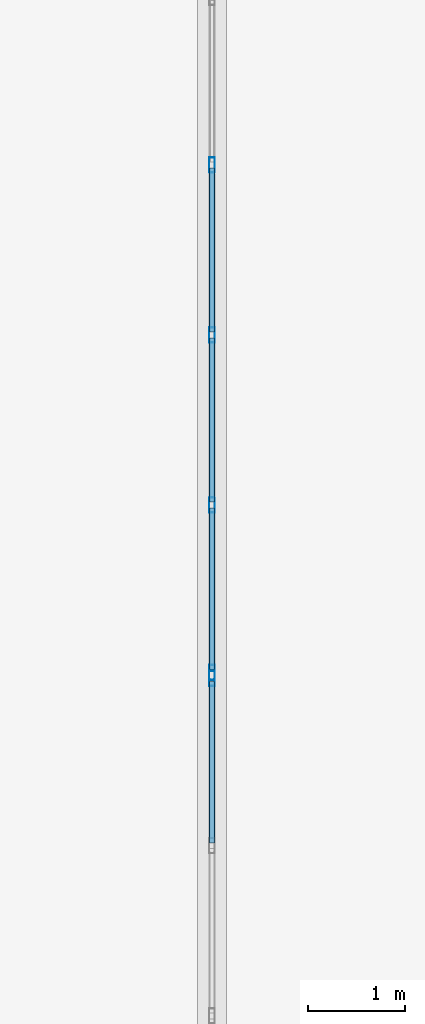
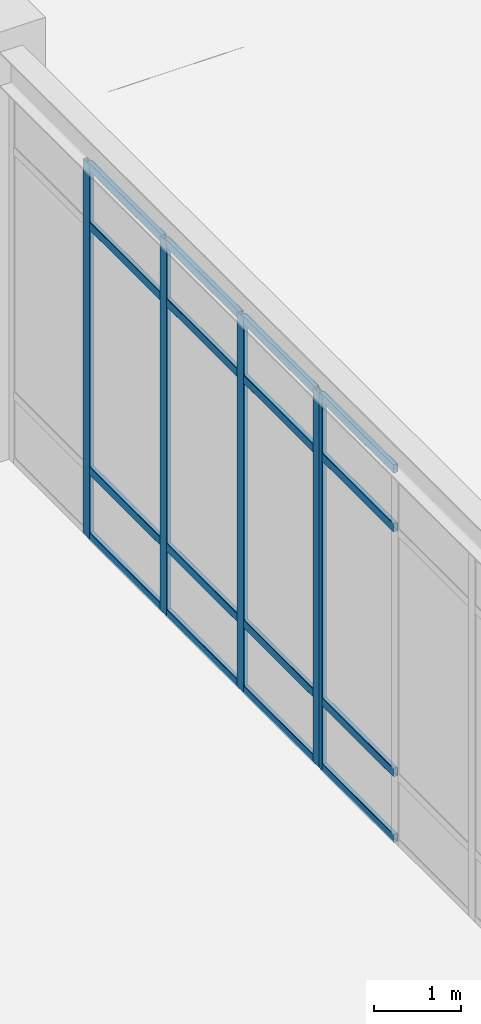
# One storey, part 40 of 82: 21 members, 2 elements without a shape of their own.
"""IFC4 building model written with IfcOpenShell, lengths in metres."""

from ifc_helpers import new_model, si_unit, derived_unit, direction, frame, origin, origin_2d, place, context, subcontext, project, spatial, hollow_rectangle, extrude, material, layer, layer_set, material_profile, profile_set, type_object, element, aggregate, save


model = new_model("IFC4")

# Units and contexts
model_context = context("Model", 3, precision=1e-05, world=origin(), true_north=direction((0.0, 1.0)))
body_context = subcontext(model_context, "Body", "Model", "MODEL_VIEW")
ifc_project = project(units=[si_unit("LENGTHUNIT", "METRE"), si_unit("AREAUNIT", "SQUARE_METRE"), si_unit("VOLUMEUNIT", "CUBIC_METRE"), si_unit("PLANEANGLEUNIT", "RADIAN"), si_unit("MASSUNIT", "GRAM", prefix="KILO"), derived_unit("THERMALTRANSMITTANCEUNIT", [(si_unit("MASSUNIT", "GRAM", prefix="KILO"), 1), (si_unit("TIMEUNIT", "SECOND"), -3), (si_unit("THERMODYNAMICTEMPERATUREUNIT", "KELVIN"), -1)])], contexts=[model_context])

# Site, building, storey
site_placement = place(None, origin())
site = spatial("IfcSite", under=ifc_project, at=site_placement, CompositionType="ELEMENT")
building_placement = place(site_placement, origin())
building = spatial("IfcBuilding", under=site, at=building_placement, Name="Qinzheling Arcade Emporium", CompositionType="ELEMENT")
storey_placement = place(building_placement, origin())
storey = spatial("IfcBuildingStorey", under=building, at=storey_placement, Name="L01", CompositionType="ELEMENT", Elevation=0.0)

# Curtain wall, members
ifc_material_1 = material(Name="Anodised aluminium and solar-control double glazing", Category="aluminium")
ifc_layer = layer(ifc_material_1, 0.159912109375, Name="Anodised aluminium and solar-control double glazing", Category="aluminium")
ifc_layer_set = layer_set([ifc_layer], Name="Anodised aluminium and solar-control double glazing")
curtain_wall_type = type_object("IfcCurtainWallType", Name="Street Arcade Stick Curtain Wall", PredefinedType="NOTDEFINED", material=ifc_layer_set)
curtain_wall_1_placement = place(storey_placement, origin())
curtain_wall_1 = element("IfcCurtainWall", 1, at=curtain_wall_1_placement, inside=storey, type_object=curtain_wall_type, Name="Curtain Wall CW-L01-044", PredefinedType="NOTDEFINED")
ifc_material_2 = material(Name="Anodised aluminium 6063-T6", Category="aluminium")
ifc_material_profile_1 = material_profile(ifc_material_2, hollow_rectangle(XDim=0.06005859375, YDim=0.159912109375, WallThickness=0.00390625, InnerFilletRadius=0.00390625, OuterFilletRadius=0.008056640625, at=origin_2d()), Name="RHS 160x60x4", Category="aluminium")
ifc_profile_set_1 = profile_set([ifc_material_profile_1], Name="Anodised aluminium 6063-T6")
member_type_1 = type_object("IfcMemberType", Name="Curtain Wall Mullion RHS160x60", PredefinedType="MULLION", material=ifc_profile_set_1)
member_1_placement = place(storey_placement, frame((130.5, 63.1865234375, 0.0), z_axis=(0.0, 0.0, 1.0), x_axis=(1.0, 0.0, 0.0)))
member_1 = element("IfcMember", 2, at=member_1_placement, type_object=member_type_1, Name="CW01 mullion 2", PredefinedType="MULLION", context=body_context, shape_type="SweptSolid", body=[
    extrude(hollow_rectangle(XDim=0.06005859375, YDim=0.159912109375, WallThickness=0.00390625, InnerFilletRadius=0.00390625, OuterFilletRadius=0.008056640625, at=origin_2d()), origin(), (0.0, 0.0, 1.0), 5.217041015625),
])
member_2_placement = place(storey_placement, frame((130.5, 61.425048828125, 0.0), z_axis=(0.0, 0.0, 1.0), x_axis=(1.0, 0.0, 0.0)))
member_2 = element("IfcMember", 3, at=member_2_placement, type_object=member_type_1, Name="CW01 mullion 3", PredefinedType="MULLION", context=body_context, shape_type="SweptSolid", body=[
    extrude(hollow_rectangle(XDim=0.06005859375, YDim=0.159912109375, WallThickness=0.00390625, InnerFilletRadius=0.00390625, OuterFilletRadius=0.008056640625, at=origin_2d()), origin(), (0.0, 0.0, 1.0), 5.217041015625),
])
member_3_placement = place(storey_placement, frame((130.5, 59.66357421875, 0.0), z_axis=(0.0, 0.0, 1.0), x_axis=(1.0, 0.0, 0.0)))
member_3 = element("IfcMember", 4, at=member_3_placement, type_object=member_type_1, Name="CW01 mullion 4", PredefinedType="MULLION", context=body_context, shape_type="SweptSolid", body=[
    extrude(hollow_rectangle(XDim=0.06005859375, YDim=0.159912109375, WallThickness=0.00390625, InnerFilletRadius=0.00390625, OuterFilletRadius=0.008056640625, at=origin_2d()), origin(), (0.0, 0.0, 1.0), 5.217041015625),
])
member_4_placement = place(storey_placement, frame((130.5, 57.931884765625, 0.0), z_axis=(0.0, 0.0, 1.0), x_axis=(1.0, 0.0, 0.0)))
member_4 = element("IfcMember", 5, at=member_4_placement, type_object=member_type_1, Name="CW01 mullion 5", PredefinedType="MULLION", context=body_context, shape_type="SweptSolid", body=[
    extrude(hollow_rectangle(XDim=0.06005859375, YDim=0.159912109375, WallThickness=0.00390625, InnerFilletRadius=0.00390625, OuterFilletRadius=0.008056640625, at=origin_2d()), origin(), (0.0, 0.0, 1.0), 5.217041015625),
])

# Curtain wall, member
curtain_wall_2_placement = place(storey_placement, origin())
curtain_wall_2 = element("IfcCurtainWall", 6, at=curtain_wall_2_placement, inside=storey, type_object=curtain_wall_type, Name="Curtain Wall CW-L01-045", PredefinedType="NOTDEFINED")
member_5_placement = place(storey_placement, frame((130.5, 57.867919921875, 0.0), z_axis=(0.0, 0.0, 1.0), x_axis=(1.0, 0.0, 0.0)))
member_5 = element("IfcMember", 7, at=member_5_placement, type_object=member_type_1, Name="CW01 mullion 1", PredefinedType="MULLION", context=body_context, shape_type="SweptSolid", body=[
    extrude(hollow_rectangle(XDim=0.06005859375, YDim=0.159912109375, WallThickness=0.00390625, InnerFilletRadius=0.00390625, OuterFilletRadius=0.008056640625, at=origin_2d()), origin(), (0.0, 0.0, 1.0), 5.217041015625),
])

# Member
ifc_material_profile_2 = material_profile(ifc_material_2, hollow_rectangle(XDim=0.06005859375, YDim=0.1201171875, WallThickness=0.00390625, InnerFilletRadius=0.00390625, OuterFilletRadius=0.008056640625, at=origin_2d()), Name="RHS 120x60x4", Category="aluminium")
ifc_profile_set_2 = profile_set([ifc_material_profile_2], Name="Anodised aluminium 6063-T6")
member_type_2 = type_object("IfcMemberType", Name="Curtain Wall Transom RHS120x60", PredefinedType="USERDEFINED", material=ifc_profile_set_2)
member_6_placement = place(storey_placement, frame((130.5, 63.156494140625, 0.030029296875), z_axis=(0.0, -1.0, 0.0), x_axis=(1.0, 0.0, 0.0)))
member_6 = element("IfcMember", 8, at=member_6_placement, type_object=member_type_2, Name="CW01 transom 2.1", ObjectType="TRANSOM", PredefinedType="USERDEFINED", context=body_context, shape_type="SweptSolid", body=[
    extrude(hollow_rectangle(XDim=0.06005859375, YDim=0.1201171875, WallThickness=0.00390625, InnerFilletRadius=0.00390625, OuterFilletRadius=0.008056640625, at=origin_2d()), origin(), (0.0, 0.0, 1.0), 1.701416015625),
])

member_7_placement = place(storey_placement, frame((130.5, 63.156494140625, 0.949951171875), z_axis=(0.0, -1.0, 0.0), x_axis=(1.0, 0.0, 0.0)))
member_7 = element("IfcMember", 9, at=member_7_placement, type_object=member_type_2, Name="CW01 transom 2.2", ObjectType="TRANSOM", PredefinedType="USERDEFINED", context=body_context, shape_type="SweptSolid", body=[
    extrude(hollow_rectangle(XDim=0.06005859375, YDim=0.1201171875, WallThickness=0.00390625, InnerFilletRadius=0.00390625, OuterFilletRadius=0.008056640625, at=origin_2d()), origin(), (0.0, 0.0, 1.0), 1.701416015625),
])

member_8_placement = place(storey_placement, frame((130.5, 63.156494140625, 4.366943359375), z_axis=(0.0, -1.0, 0.0), x_axis=(1.0, 0.0, 0.0)))
member_8 = element("IfcMember", 10, at=member_8_placement, type_object=member_type_2, Name="CW01 transom 2.3", ObjectType="TRANSOM", PredefinedType="USERDEFINED", context=body_context, shape_type="SweptSolid", body=[
    extrude(hollow_rectangle(XDim=0.06005859375, YDim=0.1201171875, WallThickness=0.00390625, InnerFilletRadius=0.00390625, OuterFilletRadius=0.008056640625, at=origin_2d()), origin(), (0.0, 0.0, 1.0), 1.701416015625),
])

member_9_placement = place(storey_placement, frame((130.5, 63.156494140625, 5.18701171875), z_axis=(0.0, -1.0, 0.0), x_axis=(1.0, 0.0, 0.0)))
member_9 = element("IfcMember", 11, at=member_9_placement, type_object=member_type_2, Name="CW01 transom 2.4", ObjectType="TRANSOM", PredefinedType="USERDEFINED", context=body_context, shape_type="SweptSolid", body=[
    extrude(hollow_rectangle(XDim=0.06005859375, YDim=0.1201171875, WallThickness=0.00390625, InnerFilletRadius=0.00390625, OuterFilletRadius=0.008056640625, at=origin_2d()), origin(), (0.0, 0.0, 1.0), 1.701416015625),
])

member_10_placement = place(storey_placement, frame((130.5, 61.39501953125, 0.030029296875), z_axis=(0.0, -1.0, 0.0), x_axis=(1.0, 0.0, 0.0)))
member_10 = element("IfcMember", 12, at=member_10_placement, type_object=member_type_2, Name="CW01 transom 3.1", ObjectType="TRANSOM", PredefinedType="USERDEFINED", context=body_context, shape_type="SweptSolid", body=[
    extrude(hollow_rectangle(XDim=0.06005859375, YDim=0.1201171875, WallThickness=0.00390625, InnerFilletRadius=0.00390625, OuterFilletRadius=0.008056640625, at=origin_2d()), origin(), (0.0, 0.0, 1.0), 1.701416015625),
])

member_11_placement = place(storey_placement, frame((130.5, 61.39501953125, 0.949951171875), z_axis=(0.0, -1.0, 0.0), x_axis=(1.0, 0.0, 0.0)))
member_11 = element("IfcMember", 13, at=member_11_placement, type_object=member_type_2, Name="CW01 transom 3.2", ObjectType="TRANSOM", PredefinedType="USERDEFINED", context=body_context, shape_type="SweptSolid", body=[
    extrude(hollow_rectangle(XDim=0.06005859375, YDim=0.1201171875, WallThickness=0.00390625, InnerFilletRadius=0.00390625, OuterFilletRadius=0.008056640625, at=origin_2d()), origin(), (0.0, 0.0, 1.0), 1.701416015625),
])

member_12_placement = place(storey_placement, frame((130.5, 61.39501953125, 4.366943359375), z_axis=(0.0, -1.0, 0.0), x_axis=(1.0, 0.0, 0.0)))
member_12 = element("IfcMember", 14, at=member_12_placement, type_object=member_type_2, Name="CW01 transom 3.3", ObjectType="TRANSOM", PredefinedType="USERDEFINED", context=body_context, shape_type="SweptSolid", body=[
    extrude(hollow_rectangle(XDim=0.06005859375, YDim=0.1201171875, WallThickness=0.00390625, InnerFilletRadius=0.00390625, OuterFilletRadius=0.008056640625, at=origin_2d()), origin(), (0.0, 0.0, 1.0), 1.701416015625),
])

member_13_placement = place(storey_placement, frame((130.5, 61.39501953125, 5.18701171875), z_axis=(0.0, -1.0, 0.0), x_axis=(1.0, 0.0, 0.0)))
member_13 = element("IfcMember", 15, at=member_13_placement, type_object=member_type_2, Name="CW01 transom 3.4", ObjectType="TRANSOM", PredefinedType="USERDEFINED", context=body_context, shape_type="SweptSolid", body=[
    extrude(hollow_rectangle(XDim=0.06005859375, YDim=0.1201171875, WallThickness=0.00390625, InnerFilletRadius=0.00390625, OuterFilletRadius=0.008056640625, at=origin_2d()), origin(), (0.0, 0.0, 1.0), 1.701416015625),
])

member_14_placement = place(storey_placement, frame((130.5, 59.633544921875, 0.030029296875), z_axis=(0.0, -1.0, 0.0), x_axis=(1.0, 0.0, 0.0)))
member_14 = element("IfcMember", 16, at=member_14_placement, type_object=member_type_2, Name="CW01 transom 4.1", ObjectType="TRANSOM", PredefinedType="USERDEFINED", context=body_context, shape_type="SweptSolid", body=[
    extrude(hollow_rectangle(XDim=0.06005859375, YDim=0.1201171875, WallThickness=0.00390625, InnerFilletRadius=0.00390625, OuterFilletRadius=0.008056640625, at=origin_2d()), origin(), (0.0, 0.0, 1.0), 1.671630859375),
])

member_15_placement = place(storey_placement, frame((130.5, 59.633544921875, 0.949951171875), z_axis=(0.0, -1.0, 0.0), x_axis=(1.0, 0.0, 0.0)))
member_15 = element("IfcMember", 17, at=member_15_placement, type_object=member_type_2, Name="CW01 transom 4.2", ObjectType="TRANSOM", PredefinedType="USERDEFINED", context=body_context, shape_type="SweptSolid", body=[
    extrude(hollow_rectangle(XDim=0.06005859375, YDim=0.1201171875, WallThickness=0.00390625, InnerFilletRadius=0.00390625, OuterFilletRadius=0.008056640625, at=origin_2d()), origin(), (0.0, 0.0, 1.0), 1.671630859375),
])

member_16_placement = place(storey_placement, frame((130.5, 59.633544921875, 4.366943359375), z_axis=(0.0, -1.0, 0.0), x_axis=(1.0, 0.0, 0.0)))
member_16 = element("IfcMember", 18, at=member_16_placement, type_object=member_type_2, Name="CW01 transom 4.3", ObjectType="TRANSOM", PredefinedType="USERDEFINED", context=body_context, shape_type="SweptSolid", body=[
    extrude(hollow_rectangle(XDim=0.06005859375, YDim=0.1201171875, WallThickness=0.00390625, InnerFilletRadius=0.00390625, OuterFilletRadius=0.008056640625, at=origin_2d()), origin(), (0.0, 0.0, 1.0), 1.671630859375),
])

member_17_placement = place(storey_placement, frame((130.5, 59.633544921875, 5.18701171875), z_axis=(0.0, -1.0, 0.0), x_axis=(1.0, 0.0, 0.0)))
member_17 = element("IfcMember", 19, at=member_17_placement, type_object=member_type_2, Name="CW01 transom 4.4", ObjectType="TRANSOM", PredefinedType="USERDEFINED", context=body_context, shape_type="SweptSolid", body=[
    extrude(hollow_rectangle(XDim=0.06005859375, YDim=0.1201171875, WallThickness=0.00390625, InnerFilletRadius=0.00390625, OuterFilletRadius=0.008056640625, at=origin_2d()), origin(), (0.0, 0.0, 1.0), 1.671630859375),
])

aggregate(curtain_wall_1, [member_1, member_2, member_3, member_4, member_6, member_7, member_8, member_9, member_10, member_11, member_12, member_13, member_14, member_15, member_16, member_17])

member_18_placement = place(storey_placement, frame((130.5, 57.837890625, 0.030029296875), z_axis=(0.0, -1.0, 0.0), x_axis=(1.0, 0.0, 0.0)))
member_18 = element("IfcMember", 20, at=member_18_placement, type_object=member_type_2, Name="CW01 transom 1.1", ObjectType="TRANSOM", PredefinedType="USERDEFINED", context=body_context, shape_type="SweptSolid", body=[
    extrude(hollow_rectangle(XDim=0.06005859375, YDim=0.1201171875, WallThickness=0.00390625, InnerFilletRadius=0.00390625, OuterFilletRadius=0.008056640625, at=origin_2d()), origin(), (0.0, 0.0, 1.0), 1.67138671875),
])

member_19_placement = place(storey_placement, frame((130.5, 57.837890625, 0.949951171875), z_axis=(0.0, -1.0, 0.0), x_axis=(1.0, 0.0, 0.0)))
member_19 = element("IfcMember", 21, at=member_19_placement, type_object=member_type_2, Name="CW01 transom 1.2", ObjectType="TRANSOM", PredefinedType="USERDEFINED", context=body_context, shape_type="SweptSolid", body=[
    extrude(hollow_rectangle(XDim=0.06005859375, YDim=0.1201171875, WallThickness=0.00390625, InnerFilletRadius=0.00390625, OuterFilletRadius=0.008056640625, at=origin_2d()), origin(), (0.0, 0.0, 1.0), 1.67138671875),
])

member_20_placement = place(storey_placement, frame((130.5, 57.837890625, 4.366943359375), z_axis=(0.0, -1.0, 0.0), x_axis=(1.0, 0.0, 0.0)))
member_20 = element("IfcMember", 22, at=member_20_placement, type_object=member_type_2, Name="CW01 transom 1.3", ObjectType="TRANSOM", PredefinedType="USERDEFINED", context=body_context, shape_type="SweptSolid", body=[
    extrude(hollow_rectangle(XDim=0.06005859375, YDim=0.1201171875, WallThickness=0.00390625, InnerFilletRadius=0.00390625, OuterFilletRadius=0.008056640625, at=origin_2d()), origin(), (0.0, 0.0, 1.0), 1.67138671875),
])

member_21_placement = place(storey_placement, frame((130.5, 57.837890625, 5.18701171875), z_axis=(0.0, -1.0, 0.0), x_axis=(1.0, 0.0, 0.0)))
member_21 = element("IfcMember", 23, at=member_21_placement, type_object=member_type_2, Name="CW01 transom 1.4", ObjectType="TRANSOM", PredefinedType="USERDEFINED", context=body_context, shape_type="SweptSolid", body=[
    extrude(hollow_rectangle(XDim=0.06005859375, YDim=0.1201171875, WallThickness=0.00390625, InnerFilletRadius=0.00390625, OuterFilletRadius=0.008056640625, at=origin_2d()), origin(), (0.0, 0.0, 1.0), 1.67138671875),
])

aggregate(curtain_wall_2, [member_5, member_18, member_19, member_20, member_21])

save(model, "model.ifc")
